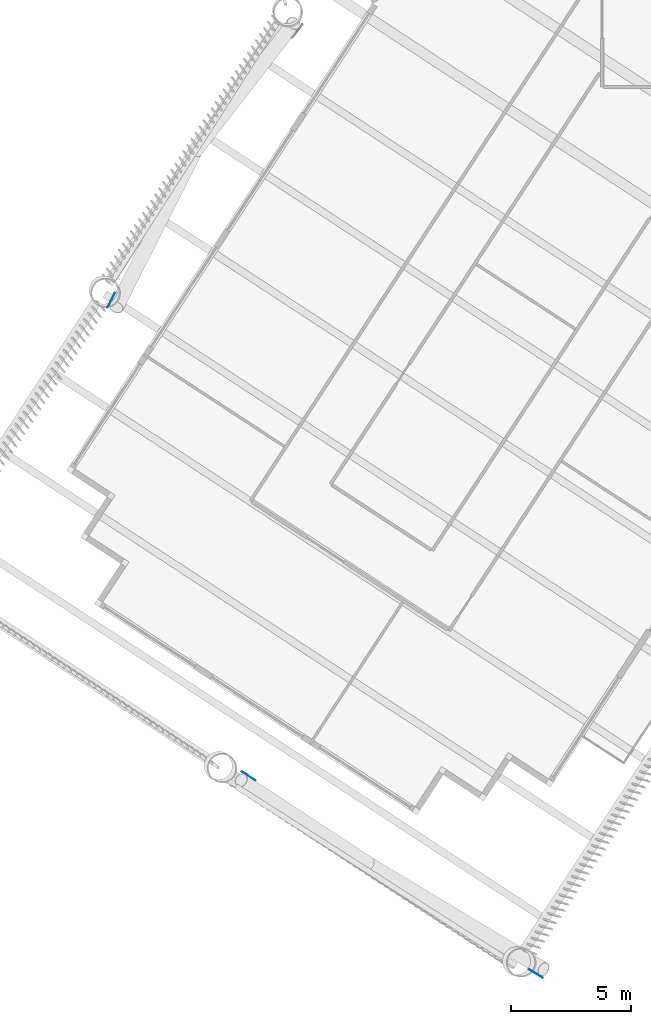
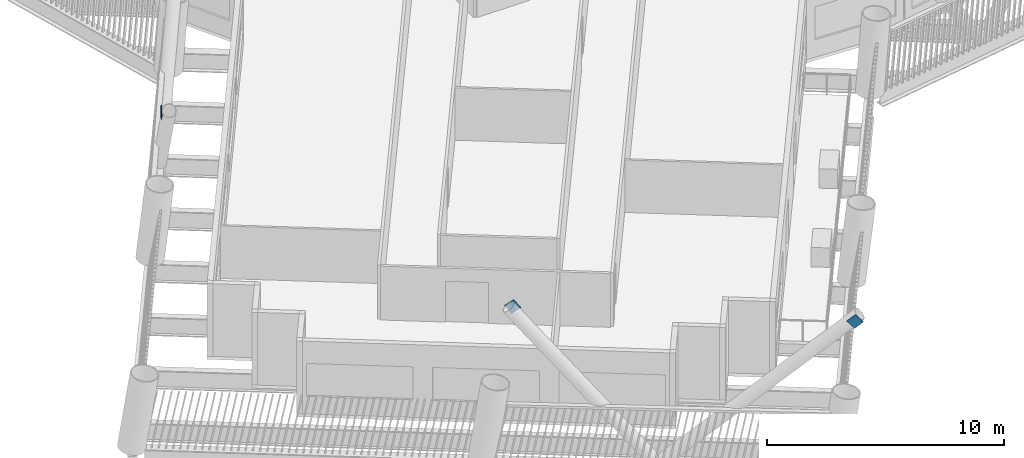
# One storey, part 9 of 22: 3 discrete accessories.
"""IFC4 building model written with IfcOpenShell, lengths in metres."""

from ifc_helpers import new_model, si_unit, direction, frame, origin, origin_2d, place, context, subcontext, project, spatial, rectangle, extrude, material, material_profile, profile_set, type_object, element, save


model = new_model("IFC4")

# Units and contexts
model_context = context("Model", 3, precision=1e-05, world=origin(), true_north=direction((0.0, 1.0)))
body_context = subcontext(model_context, "Body", "Model", "MODEL_VIEW")
ifc_project = project(units=[si_unit("LENGTHUNIT", "METRE"), si_unit("AREAUNIT", "SQUARE_METRE"), si_unit("VOLUMEUNIT", "CUBIC_METRE"), si_unit("PLANEANGLEUNIT", "RADIAN"), si_unit("MASSUNIT", "GRAM", prefix="KILO")], contexts=[model_context])

# Site, building, storey
site_placement = place(None, origin())
site = spatial("IfcSite", under=ifc_project, at=site_placement, CompositionType="ELEMENT")
building_placement = place(site_placement, origin())
building = spatial("IfcBuilding", under=site, at=building_placement, Name="Tarsis Ring Headquarters", CompositionType="ELEMENT")
storey_placement = place(building_placement, frame((0.0, 0.0, 63.39990234375)))
storey = spatial("IfcBuildingStorey", under=building, at=storey_placement, Name="L13", CompositionType="ELEMENT", Elevation=63.39990234375)

# Discrete accessories
ifc_material = material(Name="Structural steel S355", Category="steel")
ifc_material_profile = material_profile(ifc_material, rectangle(XDim=0.02490234375, YDim=0.5, at=origin_2d()), Name="PL 25x500")
ifc_profile_set = profile_set([ifc_material_profile], Name="Structural steel S355")
discrete_accessory_type = type_object("IfcDiscreteAccessoryType", Name="Gusset plate Exo brace 25", PredefinedType="BRACKET", material=ifc_profile_set)
discrete_accessory_placement = place(storey_placement, frame((-33.447021484375, -25.00146484375, 7.800048828125), z_axis=(0.307704427823, 0.610036238653, -0.730187491422), x_axis=(-0.892848988163, 0.450356174974, 0.0)))
element("IfcDiscreteAccessory", 1, at=discrete_accessory_placement, inside=storey, type_object=discrete_accessory_type, Name="Gusset plate GP5", PredefinedType="BRACKET", context=body_context, shape_type="SweptSolid", body=[
    extrude(rectangle(XDim=0.02490234375, YDim=0.5, at=origin_2d()), origin(), (0.0, 0.0, 1.0), 0.499755859375),
])
for number, where, z_axis, x_axis, name in (
    (2, (-15.59228515625, -52.8916015625, 7.800048828125), (-0.631476771043, 0.379960501061, -0.675919451759), (-0.515567340523, -0.856849063363, 0.0), "Gusset plate GP5"),
    (3, (-27.805419921875, -44.51171875, 7.800048828125), (0.524865241755, -0.344702195981, -0.778265298008), (0.548945134517, 0.83585838471, 0.0), "Gusset plate GP5"),
):
    element("IfcDiscreteAccessory", number, at=place(storey_placement, frame(where, z_axis=z_axis, x_axis=x_axis)), inside=storey, type_object=discrete_accessory_type, Name=name, PredefinedType="BRACKET", context=body_context, shape_type="SweptSolid", body=[
        extrude(rectangle(XDim=0.02490234375, YDim=0.5, at=origin_2d()), origin(), (0.0, 0.0, 1.0), 0.5),
    ])

save(model, "model.ifc")
